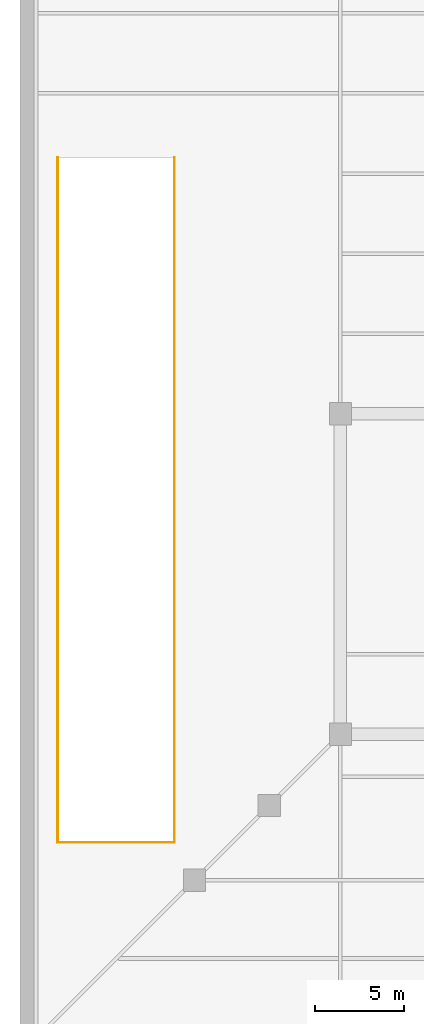
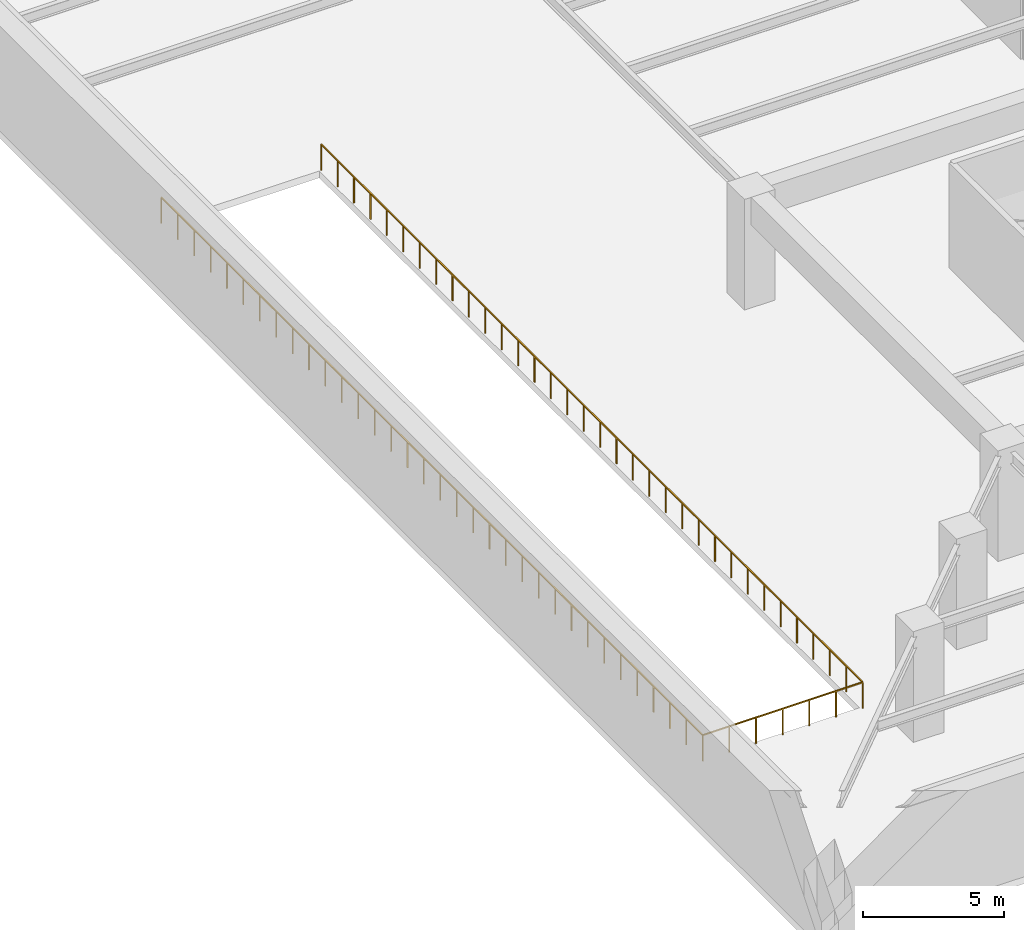
# One storey, part 16 of 20: 3 railings.
"""IFC4 building model written with IfcOpenShell, lengths in metres."""

from ifc_helpers import new_model, si_unit, direction, frame, origin, origin_2d, place, context, subcontext, project, spatial, rectangle, extrude, material, type_object, element, save


model = new_model("IFC4")

# Units and contexts
model_context = context("Model", 3, precision=1e-05, world=origin(), true_north=direction((0.0, 1.0)))
body_context = subcontext(model_context, "Body", "Model", "MODEL_VIEW")
ifc_project = project(units=[si_unit("LENGTHUNIT", "METRE"), si_unit("AREAUNIT", "SQUARE_METRE"), si_unit("VOLUMEUNIT", "CUBIC_METRE"), si_unit("PLANEANGLEUNIT", "RADIAN"), si_unit("MASSUNIT", "GRAM", prefix="KILO")], contexts=[model_context])

# Site, building, storey
site_placement = place(None, origin())
site = spatial("IfcSite", under=ifc_project, at=site_placement, CompositionType="ELEMENT")
building_placement = place(site_placement, origin())
building = spatial("IfcBuilding", under=site, at=building_placement, Name="Liaohun Quay Tower", CompositionType="ELEMENT")
storey_placement = place(building_placement, frame((0.0, 0.0, -4.800048828125)))
storey = spatial("IfcBuildingStorey", under=building, at=storey_placement, Name="B1", CompositionType="ELEMENT", Elevation=-4.800048828125)

# Railings
ifc_material = material(Name="Painted tubular steel", Category="steel")
railing_type = type_object("IfcRailingType", Name="RLG-GUARD-STR", PredefinedType="GUARDRAIL", material=ifc_material)
railing_1_placement = place(storey_placement, frame((8.1201171875, 56.39990234375, 0.0)))
element("IfcRailing", 1, at=railing_1_placement, inside=storey, type_object=railing_type, Name="B1 Vehicle Ramp Well Guardrail 1", PredefinedType="GUARDRAIL", context=body_context, shape_type="SweptSolid", body=[
    extrude(rectangle(XDim=0.048095703125, YDim=0.048095703125, at=origin_2d()), frame((0.0, 0.0, 1.1259765625), z_axis=(0.0, -1.0, 0.0), x_axis=(1.0, 0.0, 0.0)), (0.0, 0.0, 1.0), 38.47998046875),
    extrude(rectangle(XDim=0.0419921875, YDim=0.0419921875, at=origin_2d()), origin(), (0.0, 0.0, 1.0), 1.101806640625),
    extrude(rectangle(XDim=0.0419921875, YDim=0.0419921875, at=origin_2d()), frame((0.0, -1.166015625, 0.0)), (0.0, 0.0, 1.0), 1.101806640625),
    extrude(rectangle(XDim=0.0419921875, YDim=0.0419921875, at=origin_2d()), frame((0.0, -2.33203125, 0.0)), (0.0, 0.0, 1.0), 1.101806640625),
    extrude(rectangle(XDim=0.0419921875, YDim=0.0419921875, at=origin_2d()), frame((0.0, -3.498291015625, 0.0)), (0.0, 0.0, 1.0), 1.101806640625),
    extrude(rectangle(XDim=0.0419921875, YDim=0.0419921875, at=origin_2d()), frame((0.0, -4.664306640625, 0.0)), (0.0, 0.0, 1.0), 1.101806640625),
    extrude(rectangle(XDim=0.0419921875, YDim=0.0419921875, at=origin_2d()), frame((0.0, -5.830322265625, 0.0)), (0.0, 0.0, 1.0), 1.101806640625),
    extrude(rectangle(XDim=0.0419921875, YDim=0.0419921875, at=origin_2d()), frame((0.0, -6.996337890625, 0.0)), (0.0, 0.0, 1.0), 1.101806640625),
    extrude(rectangle(XDim=0.0419921875, YDim=0.0419921875, at=origin_2d()), frame((0.0, -8.162353515625, 0.0)), (0.0, 0.0, 1.0), 1.101806640625),
    extrude(rectangle(XDim=0.0419921875, YDim=0.0419921875, at=origin_2d()), frame((0.0, -9.328369140625, 0.0)), (0.0, 0.0, 1.0), 1.101806640625),
    extrude(rectangle(XDim=0.0419921875, YDim=0.0419921875, at=origin_2d()), frame((0.0, -10.49462890625, 0.0)), (0.0, 0.0, 1.0), 1.101806640625),
    extrude(rectangle(XDim=0.0419921875, YDim=0.0419921875, at=origin_2d()), frame((0.0, -11.66064453125, 0.0)), (0.0, 0.0, 1.0), 1.101806640625),
    extrude(rectangle(XDim=0.0419921875, YDim=0.0419921875, at=origin_2d()), frame((0.0, -12.82666015625, 0.0)), (0.0, 0.0, 1.0), 1.101806640625),
    extrude(rectangle(XDim=0.0419921875, YDim=0.0419921875, at=origin_2d()), frame((0.0, -13.99267578125, 0.0)), (0.0, 0.0, 1.0), 1.101806640625),
    extrude(rectangle(XDim=0.0419921875, YDim=0.0419921875, at=origin_2d()), frame((0.0, -15.15869140625, 0.0)), (0.0, 0.0, 1.0), 1.101806640625),
    extrude(rectangle(XDim=0.0419921875, YDim=0.0419921875, at=origin_2d()), frame((0.0, -16.324951171875, 0.0)), (0.0, 0.0, 1.0), 1.101806640625),
    extrude(rectangle(XDim=0.0419921875, YDim=0.0419921875, at=origin_2d()), frame((0.0, -17.490966796875, 0.0)), (0.0, 0.0, 1.0), 1.101806640625),
    extrude(rectangle(XDim=0.0419921875, YDim=0.0419921875, at=origin_2d()), frame((0.0, -18.656982421875, 0.0)), (0.0, 0.0, 1.0), 1.101806640625),
    extrude(rectangle(XDim=0.0419921875, YDim=0.0419921875, at=origin_2d()), frame((0.0, -19.822998046875, 0.0)), (0.0, 0.0, 1.0), 1.101806640625),
    extrude(rectangle(XDim=0.0419921875, YDim=0.0419921875, at=origin_2d()), frame((0.0, -20.989013671875, 0.0)), (0.0, 0.0, 1.0), 1.101806640625),
    extrude(rectangle(XDim=0.0419921875, YDim=0.0419921875, at=origin_2d()), frame((0.0, -22.155029296875, 0.0)), (0.0, 0.0, 1.0), 1.101806640625),
    extrude(rectangle(XDim=0.0419921875, YDim=0.0419921875, at=origin_2d()), frame((0.0, -23.3212890625, 0.0)), (0.0, 0.0, 1.0), 1.101806640625),
    extrude(rectangle(XDim=0.0419921875, YDim=0.0419921875, at=origin_2d()), frame((0.0, -24.4873046875, 0.0)), (0.0, 0.0, 1.0), 1.101806640625),
    extrude(rectangle(XDim=0.0419921875, YDim=0.0419921875, at=origin_2d()), frame((0.0, -25.6533203125, 0.0)), (0.0, 0.0, 1.0), 1.101806640625),
    extrude(rectangle(XDim=0.0419921875, YDim=0.0419921875, at=origin_2d()), frame((0.0, -26.8193359375, 0.0)), (0.0, 0.0, 1.0), 1.101806640625),
    extrude(rectangle(XDim=0.0419921875, YDim=0.0419921875, at=origin_2d()), frame((0.0, -27.9853515625, 0.0)), (0.0, 0.0, 1.0), 1.101806640625),
    extrude(rectangle(XDim=0.0419921875, YDim=0.0419921875, at=origin_2d()), frame((0.0, -29.151611328125, 0.0)), (0.0, 0.0, 1.0), 1.101806640625),
    extrude(rectangle(XDim=0.0419921875, YDim=0.0419921875, at=origin_2d()), frame((0.0, -30.317626953125, 0.0)), (0.0, 0.0, 1.0), 1.101806640625),
    extrude(rectangle(XDim=0.0419921875, YDim=0.0419921875, at=origin_2d()), frame((0.0, -31.483642578125, 0.0)), (0.0, 0.0, 1.0), 1.101806640625),
    extrude(rectangle(XDim=0.0419921875, YDim=0.0419921875, at=origin_2d()), frame((0.0, -32.649658203125, 0.0)), (0.0, 0.0, 1.0), 1.101806640625),
    extrude(rectangle(XDim=0.0419921875, YDim=0.0419921875, at=origin_2d()), frame((0.0, -33.815673828125, 0.0)), (0.0, 0.0, 1.0), 1.101806640625),
    extrude(rectangle(XDim=0.0419921875, YDim=0.0419921875, at=origin_2d()), frame((0.0, -34.981689453125, 0.0)), (0.0, 0.0, 1.0), 1.101806640625),
    extrude(rectangle(XDim=0.0419921875, YDim=0.0419921875, at=origin_2d()), frame((0.0, -36.14794921875, 0.0)), (0.0, 0.0, 1.0), 1.101806640625),
    extrude(rectangle(XDim=0.0419921875, YDim=0.0419921875, at=origin_2d()), frame((0.0, -37.31396484375, 0.0)), (0.0, 0.0, 1.0), 1.101806640625),
    extrude(rectangle(XDim=0.0419921875, YDim=0.0419921875, at=origin_2d()), frame((0.0, -38.47998046875, 0.0)), (0.0, 0.0, 1.0), 1.101806640625),
])
railing_2_placement = place(storey_placement, frame((8.1201171875, 17.919921875, 0.0)))
element("IfcRailing", 2, at=railing_2_placement, inside=storey, type_object=railing_type, Name="B1 Vehicle Ramp Well Guardrail 2", PredefinedType="GUARDRAIL", context=body_context, shape_type="SweptSolid", body=[
    extrude(rectangle(XDim=0.048095703125, YDim=0.048095703125, at=origin_2d()), frame((0.0, 0.0, 1.1259765625), z_axis=(1.0, 0.0, 0.0), x_axis=(0.0, 1.0, 0.0)), (0.0, 0.0, 1.0), 6.559814453125),
    extrude(rectangle(XDim=0.0419921875, YDim=0.0419921875, at=origin_2d()), origin(), (0.0, 0.0, 1.0), 1.101806640625),
    extrude(rectangle(XDim=0.0419921875, YDim=0.0419921875, at=origin_2d()), frame((1.09326171875, 0.0, 0.0)), (0.0, 0.0, 1.0), 1.101806640625),
    extrude(rectangle(XDim=0.0419921875, YDim=0.0419921875, at=origin_2d()), frame((2.1865234375, 0.0, 0.0)), (0.0, 0.0, 1.0), 1.101806640625),
    extrude(rectangle(XDim=0.0419921875, YDim=0.0419921875, at=origin_2d()), frame((3.27978515625, 0.0, 0.0)), (0.0, 0.0, 1.0), 1.101806640625),
    extrude(rectangle(XDim=0.0419921875, YDim=0.0419921875, at=origin_2d()), frame((4.373291015625, 0.0, 0.0)), (0.0, 0.0, 1.0), 1.101806640625),
    extrude(rectangle(XDim=0.0419921875, YDim=0.0419921875, at=origin_2d()), frame((5.466552734375, 0.0, 0.0)), (0.0, 0.0, 1.0), 1.101806640625),
    extrude(rectangle(XDim=0.0419921875, YDim=0.0419921875, at=origin_2d()), frame((6.559814453125, 0.0, 0.0)), (0.0, 0.0, 1.0), 1.101806640625),
])
railing_3_placement = place(storey_placement, frame((14.679931640625, 17.919921875, 0.0)))
element("IfcRailing", 3, at=railing_3_placement, inside=storey, type_object=railing_type, Name="B1 Vehicle Ramp Well Guardrail 3", PredefinedType="GUARDRAIL", context=body_context, shape_type="SweptSolid", body=[
    extrude(rectangle(XDim=0.048095703125, YDim=0.048095703125, at=origin_2d()), frame((0.0, 0.0, 1.1259765625), z_axis=(0.0, 1.0, 0.0), x_axis=(-1.0, 0.0, 0.0)), (0.0, 0.0, 1.0), 38.47998046875),
    extrude(rectangle(XDim=0.0419921875, YDim=0.0419921875, at=origin_2d()), origin(), (0.0, 0.0, 1.0), 1.101806640625),
    extrude(rectangle(XDim=0.0419921875, YDim=0.0419921875, at=origin_2d()), frame((0.0, 1.166015625, 0.0)), (0.0, 0.0, 1.0), 1.101806640625),
    extrude(rectangle(XDim=0.0419921875, YDim=0.0419921875, at=origin_2d()), frame((0.0, 2.33203125, 0.0)), (0.0, 0.0, 1.0), 1.101806640625),
    extrude(rectangle(XDim=0.0419921875, YDim=0.0419921875, at=origin_2d()), frame((0.0, 3.498291015625, 0.0)), (0.0, 0.0, 1.0), 1.101806640625),
    extrude(rectangle(XDim=0.0419921875, YDim=0.0419921875, at=origin_2d()), frame((0.0, 4.664306640625, 0.0)), (0.0, 0.0, 1.0), 1.101806640625),
    extrude(rectangle(XDim=0.0419921875, YDim=0.0419921875, at=origin_2d()), frame((0.0, 5.830322265625, 0.0)), (0.0, 0.0, 1.0), 1.101806640625),
    extrude(rectangle(XDim=0.0419921875, YDim=0.0419921875, at=origin_2d()), frame((0.0, 6.996337890625, 0.0)), (0.0, 0.0, 1.0), 1.101806640625),
    extrude(rectangle(XDim=0.0419921875, YDim=0.0419921875, at=origin_2d()), frame((0.0, 8.162353515625, 0.0)), (0.0, 0.0, 1.0), 1.101806640625),
    extrude(rectangle(XDim=0.0419921875, YDim=0.0419921875, at=origin_2d()), frame((0.0, 9.328369140625, 0.0)), (0.0, 0.0, 1.0), 1.101806640625),
    extrude(rectangle(XDim=0.0419921875, YDim=0.0419921875, at=origin_2d()), frame((0.0, 10.49462890625, 0.0)), (0.0, 0.0, 1.0), 1.101806640625),
    extrude(rectangle(XDim=0.0419921875, YDim=0.0419921875, at=origin_2d()), frame((0.0, 11.66064453125, 0.0)), (0.0, 0.0, 1.0), 1.101806640625),
    extrude(rectangle(XDim=0.0419921875, YDim=0.0419921875, at=origin_2d()), frame((0.0, 12.82666015625, 0.0)), (0.0, 0.0, 1.0), 1.101806640625),
    extrude(rectangle(XDim=0.0419921875, YDim=0.0419921875, at=origin_2d()), frame((0.0, 13.99267578125, 0.0)), (0.0, 0.0, 1.0), 1.101806640625),
    extrude(rectangle(XDim=0.0419921875, YDim=0.0419921875, at=origin_2d()), frame((0.0, 15.15869140625, 0.0)), (0.0, 0.0, 1.0), 1.101806640625),
    extrude(rectangle(XDim=0.0419921875, YDim=0.0419921875, at=origin_2d()), frame((0.0, 16.324951171875, 0.0)), (0.0, 0.0, 1.0), 1.101806640625),
    extrude(rectangle(XDim=0.0419921875, YDim=0.0419921875, at=origin_2d()), frame((0.0, 17.490966796875, 0.0)), (0.0, 0.0, 1.0), 1.101806640625),
    extrude(rectangle(XDim=0.0419921875, YDim=0.0419921875, at=origin_2d()), frame((0.0, 18.656982421875, 0.0)), (0.0, 0.0, 1.0), 1.101806640625),
    extrude(rectangle(XDim=0.0419921875, YDim=0.0419921875, at=origin_2d()), frame((0.0, 19.822998046875, 0.0)), (0.0, 0.0, 1.0), 1.101806640625),
    extrude(rectangle(XDim=0.0419921875, YDim=0.0419921875, at=origin_2d()), frame((0.0, 20.989013671875, 0.0)), (0.0, 0.0, 1.0), 1.101806640625),
    extrude(rectangle(XDim=0.0419921875, YDim=0.0419921875, at=origin_2d()), frame((0.0, 22.155029296875, 0.0)), (0.0, 0.0, 1.0), 1.101806640625),
    extrude(rectangle(XDim=0.0419921875, YDim=0.0419921875, at=origin_2d()), frame((0.0, 23.3212890625, 0.0)), (0.0, 0.0, 1.0), 1.101806640625),
    extrude(rectangle(XDim=0.0419921875, YDim=0.0419921875, at=origin_2d()), frame((0.0, 24.4873046875, 0.0)), (0.0, 0.0, 1.0), 1.101806640625),
    extrude(rectangle(XDim=0.0419921875, YDim=0.0419921875, at=origin_2d()), frame((0.0, 25.6533203125, 0.0)), (0.0, 0.0, 1.0), 1.101806640625),
    extrude(rectangle(XDim=0.0419921875, YDim=0.0419921875, at=origin_2d()), frame((0.0, 26.8193359375, 0.0)), (0.0, 0.0, 1.0), 1.101806640625),
    extrude(rectangle(XDim=0.0419921875, YDim=0.0419921875, at=origin_2d()), frame((0.0, 27.9853515625, 0.0)), (0.0, 0.0, 1.0), 1.101806640625),
    extrude(rectangle(XDim=0.0419921875, YDim=0.0419921875, at=origin_2d()), frame((0.0, 29.151611328125, 0.0)), (0.0, 0.0, 1.0), 1.101806640625),
    extrude(rectangle(XDim=0.0419921875, YDim=0.0419921875, at=origin_2d()), frame((0.0, 30.317626953125, 0.0)), (0.0, 0.0, 1.0), 1.101806640625),
    extrude(rectangle(XDim=0.0419921875, YDim=0.0419921875, at=origin_2d()), frame((0.0, 31.483642578125, 0.0)), (0.0, 0.0, 1.0), 1.101806640625),
    extrude(rectangle(XDim=0.0419921875, YDim=0.0419921875, at=origin_2d()), frame((0.0, 32.649658203125, 0.0)), (0.0, 0.0, 1.0), 1.101806640625),
    extrude(rectangle(XDim=0.0419921875, YDim=0.0419921875, at=origin_2d()), frame((0.0, 33.815673828125, 0.0)), (0.0, 0.0, 1.0), 1.101806640625),
    extrude(rectangle(XDim=0.0419921875, YDim=0.0419921875, at=origin_2d()), frame((0.0, 34.981689453125, 0.0)), (0.0, 0.0, 1.0), 1.101806640625),
    extrude(rectangle(XDim=0.0419921875, YDim=0.0419921875, at=origin_2d()), frame((0.0, 36.14794921875, 0.0)), (0.0, 0.0, 1.0), 1.101806640625),
    extrude(rectangle(XDim=0.0419921875, YDim=0.0419921875, at=origin_2d()), frame((0.0, 37.31396484375, 0.0)), (0.0, 0.0, 1.0), 1.101806640625),
    extrude(rectangle(XDim=0.0419921875, YDim=0.0419921875, at=origin_2d()), frame((0.0, 38.47998046875, 0.0)), (0.0, 0.0, 1.0), 1.101806640625),
])

save(model, "model.ifc")
